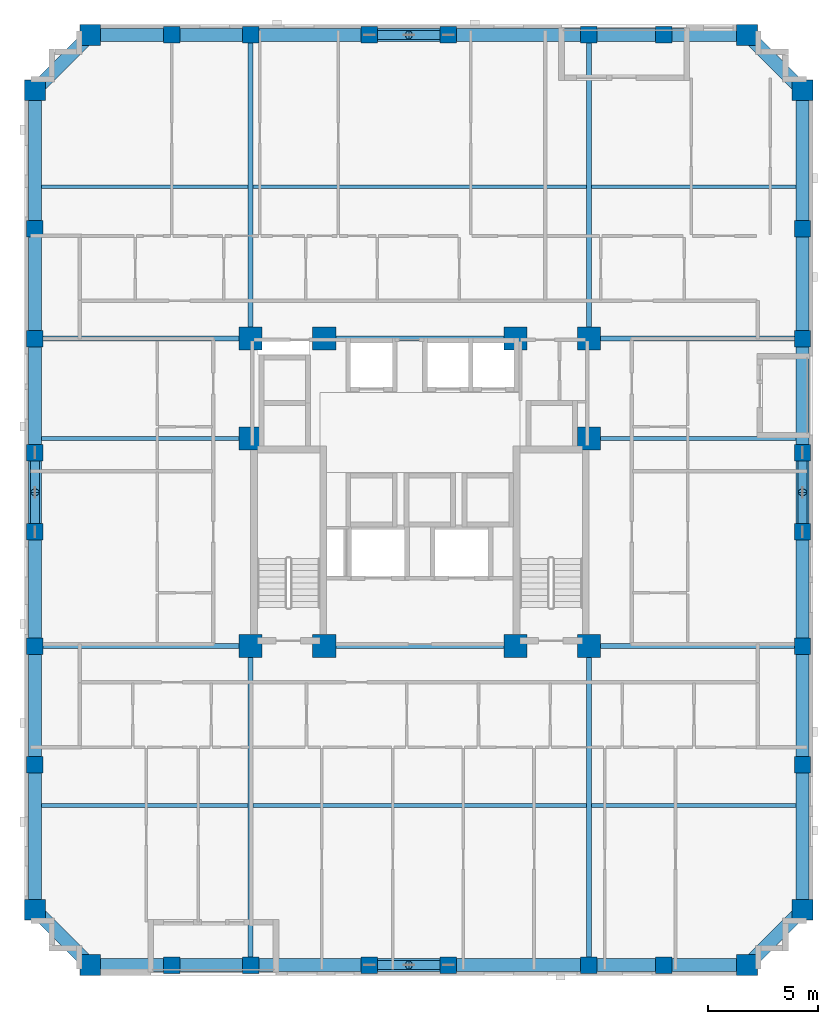
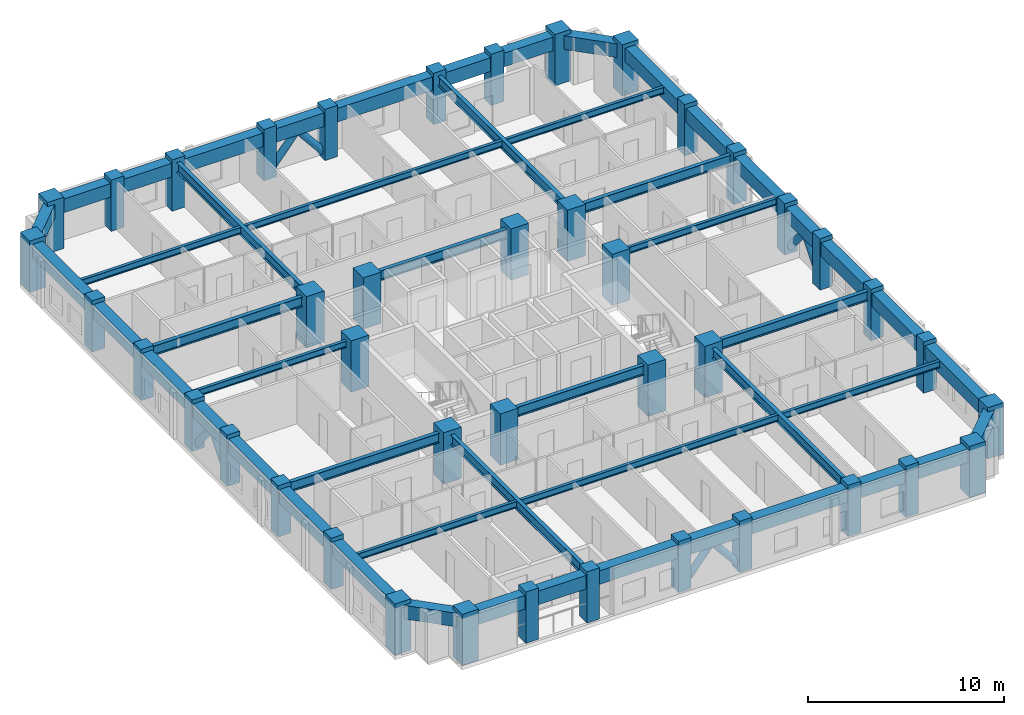
# One storey, part 1 of 12: 50 beams, 42 columns, 8 members.
"""IFC4 building model written with IfcOpenShell, lengths in metres."""

from ifc_helpers import new_model, si_unit, derived_unit, direction, frame, origin, origin_2d, place, context, subcontext, project, spatial, rectangle, hollow_circle, i_section, extrude, material, material_profile, profile_set, type_object, element, save


model = new_model("IFC4")

# Units and contexts
model_context = context("Model", 3, precision=1e-05, world=origin(), true_north=direction((0.0, 1.0)))
body_context = subcontext(model_context, "Body", "Model", "MODEL_VIEW")
ifc_project = project(units=[si_unit("LENGTHUNIT", "METRE"), si_unit("AREAUNIT", "SQUARE_METRE"), si_unit("VOLUMEUNIT", "CUBIC_METRE"), si_unit("PLANEANGLEUNIT", "RADIAN"), si_unit("MASSUNIT", "GRAM", prefix="KILO"), derived_unit("THERMALTRANSMITTANCEUNIT", [(si_unit("MASSUNIT", "GRAM", prefix="KILO"), 1), (si_unit("TIMEUNIT", "SECOND"), -3), (si_unit("THERMODYNAMICTEMPERATUREUNIT", "KELVIN"), -1)])], contexts=[model_context])

# Site, building, storey
site_placement = place(None, origin())
site = spatial("IfcSite", under=ifc_project, at=site_placement, CompositionType="ELEMENT")
building_placement = place(site_placement, origin())
building = spatial("IfcBuilding", under=site, at=building_placement, Name="Korrvale Station Residences", CompositionType="ELEMENT")
storey_placement = place(building_placement, frame((0.0, 0.0, 113.5)))
storey = spatial("IfcBuildingStorey", under=building, at=storey_placement, Name="L32", CompositionType="ELEMENT", Elevation=113.5)

# Columns
ifc_material_1 = material(Name="Concrete C60/75", Category="concrete")
ifc_material_profile_1 = material_profile(ifc_material_1, rectangle(XDim=1.050048828125, YDim=1.050048828125, at=origin_2d()), Name="RC1050x1050")
ifc_profile_set_1 = profile_set([ifc_material_profile_1], Name="Concrete C60/75")
column_type_1 = type_object("IfcColumnType", Name="COL-C-RC1050x1050-C6075", PredefinedType="COLUMN", material=ifc_profile_set_1)
for number, where, z_axis, x_axis, name in (
    (1, (17.800048828125, 15.0, 0.0), (0.0, 0.0, 1.0), (1.0, 0.0, 0.0), "L32 Core Column 01"),
    (2, (21.14990234375, 15.0, 0.0), (0.0, 0.0, 1.0), (1.0, 0.0, 0.0), "L32 Core Column 02"),
    (3, (29.85009765625, 15.0, 0.0), (0.0, 0.0, 1.0), (1.0, 0.0, 0.0), "L32 Core Column 03"),
    (4, (33.199951171875, 15.0, 0.0), (0.0, 0.0, 1.0), (1.0, 0.0, 0.0), "L32 Core Column 04"),
    (5, (17.800048828125, 29.0, 0.0), (0.0, 0.0, 1.0), (1.0, 0.0, 0.0), "L32 Core Column 05"),
    (6, (21.14990234375, 29.0, 0.0), (0.0, 0.0, 1.0), (1.0, 0.0, 0.0), "L32 Core Column 06"),
    (7, (29.85009765625, 29.0, 0.0), (0.0, 0.0, 1.0), (1.0, 0.0, 0.0), "L32 Core Column 07"),
    (8, (33.199951171875, 29.0, 0.0), (0.0, 0.0, 1.0), (1.0, 0.0, 0.0), "L32 Core Column 08"),
    (9, (17.800048828125, 24.449951171875, 0.0), (0.0, 0.0, 1.0), (1.0, 0.0, 0.0), "L32 Core Column 09"),
    (10, (33.199951171875, 24.449951171875, 0.0), (0.0, 0.0, 1.0), (1.0, 0.0, 0.0), "L32 Core Column 10"),
):
    element("IfcColumn", number, at=place(storey_placement, frame(where, z_axis=z_axis, x_axis=x_axis)), inside=storey, type_object=column_type_1, Name=name, PredefinedType="COLUMN", context=body_context, shape_type="SweptSolid", body=[
        extrude(rectangle(XDim=1.050048828125, YDim=1.050048828125, at=origin_2d()), origin(), (0.0, 0.0, 1.0), 3.199951171875),
    ])
ifc_material_profile_2 = material_profile(ifc_material_1, rectangle(XDim=0.75, YDim=0.75, at=origin_2d()), Name="RC750x750")
ifc_profile_set_2 = profile_set([ifc_material_profile_2], Name="Concrete C60/75")
column_type_2 = type_object("IfcColumnType", Name="COL-C-RC750x750-C6075", PredefinedType="COLUMN", material=ifc_profile_set_2)
for number, where, z_axis, x_axis, name in (
    (11, (14.199951171875, 0.47998046875, 0.0), (0.0, 0.0, 1.0), (1.0, 0.0, 0.0), "L32 Bundled-Tube South Column 02"),
    (12, (17.800048828125, 0.47998046875, 0.0), (0.0, 0.0, 1.0), (1.0, 0.0, 0.0), "L32 Bundled-Tube South Column 03"),
    (13, (23.199951171875, 0.47998046875, 0.0), (0.0, 0.0, 1.0), (1.0, 0.0, 0.0), "L32 Bundled-Tube South Column 04"),
    (14, (26.800048828125, 0.47998046875, 0.0), (0.0, 0.0, 1.0), (1.0, 0.0, 0.0), "L32 Bundled-Tube South Column 05"),
    (15, (33.199951171875, 0.47998046875, 0.0), (0.0, 0.0, 1.0), (1.0, 0.0, 0.0), "L32 Bundled-Tube South Column 06"),
    (16, (36.60009765625, 0.47998046875, 0.0), (0.0, 0.0, 1.0), (1.0, 0.0, 0.0), "L32 Bundled-Tube South Column 07"),
    (17, (14.199951171875, 42.820068359375, 0.0), (0.0, 0.0, 1.0), (1.0, 0.0, 0.0), "L32 Bundled-Tube North Column 10"),
    (18, (17.800048828125, 42.820068359375, 0.0), (0.0, 0.0, 1.0), (1.0, 0.0, 0.0), "L32 Bundled-Tube North Column 11"),
    (19, (23.199951171875, 42.820068359375, 0.0), (0.0, 0.0, 1.0), (1.0, 0.0, 0.0), "L32 Bundled-Tube North Column 12"),
    (20, (26.800048828125, 42.820068359375, 0.0), (0.0, 0.0, 1.0), (1.0, 0.0, 0.0), "L32 Bundled-Tube North Column 13"),
    (21, (33.199951171875, 42.820068359375, 0.0), (0.0, 0.0, 1.0), (1.0, 0.0, 0.0), "L32 Bundled-Tube North Column 14"),
    (22, (36.60009765625, 42.820068359375, 0.0), (0.0, 0.0, 1.0), (1.0, 0.0, 0.0), "L32 Bundled-Tube North Column 15"),
    (23, (7.97998046875, 9.60009765625, 0.0), (0.0, 0.0, 1.0), (1.0, 0.0, 0.0), "L32 Bundled-Tube West Column 18"),
    (24, (7.97998046875, 15.0, 0.0), (0.0, 0.0, 1.0), (1.0, 0.0, 0.0), "L32 Bundled-Tube West Column 19"),
    (25, (7.97998046875, 20.199951171875, 0.0), (0.0, 0.0, 1.0), (1.0, 0.0, 0.0), "L32 Bundled-Tube West Column 20"),
    (26, (7.97998046875, 23.800048828125, 0.0), (0.0, 0.0, 1.0), (1.0, 0.0, 0.0), "L32 Bundled-Tube West Column 21"),
    (27, (7.97998046875, 29.0, 0.0), (0.0, 0.0, 1.0), (1.0, 0.0, 0.0), "L32 Bundled-Tube West Column 22"),
    (28, (7.97998046875, 34.0, 0.0), (0.0, 0.0, 1.0), (1.0, 0.0, 0.0), "L32 Bundled-Tube West Column 23"),
    (29, (42.919921875, 9.60009765625, 0.0), (0.0, 0.0, 1.0), (1.0, 0.0, 0.0), "L32 Bundled-Tube East Column 26"),
    (30, (42.919921875, 15.0, 0.0), (0.0, 0.0, 1.0), (1.0, 0.0, 0.0), "L32 Bundled-Tube East Column 27"),
    (31, (42.919921875, 20.199951171875, 0.0), (0.0, 0.0, 1.0), (1.0, 0.0, 0.0), "L32 Bundled-Tube East Column 28"),
    (32, (42.919921875, 23.800048828125, 0.0), (0.0, 0.0, 1.0), (1.0, 0.0, 0.0), "L32 Bundled-Tube East Column 29"),
    (33, (42.919921875, 29.0, 0.0), (0.0, 0.0, 1.0), (1.0, 0.0, 0.0), "L32 Bundled-Tube East Column 30"),
    (34, (42.919921875, 34.0, 0.0), (0.0, 0.0, 1.0), (1.0, 0.0, 0.0), "L32 Bundled-Tube East Column 31"),
):
    element("IfcColumn", number, at=place(storey_placement, frame(where, z_axis=z_axis, x_axis=x_axis)), inside=storey, type_object=column_type_2, Name=name, PredefinedType="COLUMN", context=body_context, shape_type="SweptSolid", body=[
        extrude(rectangle(XDim=0.75, YDim=0.75, at=origin_2d()), origin(), (0.0, 0.0, 1.0), 3.199951171875),
    ])
ifc_material_profile_3 = material_profile(ifc_material_1, rectangle(XDim=0.949951171875, YDim=0.949951171875, at=origin_2d()), Name="RC950x950")
ifc_profile_set_3 = profile_set([ifc_material_profile_3], Name="Concrete C60/75")
column_type_3 = type_object("IfcColumnType", Name="COL-C-RC950x950-C6075", PredefinedType="COLUMN", material=ifc_profile_set_3)
for number, where, z_axis, x_axis, name in (
    (35, (10.5, 0.47998046875, 0.0), (0.0, 0.0, 1.0), (1.0, 0.0, 0.0), "L32 Bundled-Tube South Column 01"),
    (36, (40.39990234375, 0.47998046875, 0.0), (0.0, 0.0, 1.0), (1.0, 0.0, 0.0), "L32 Bundled-Tube South Column 08"),
    (37, (10.5, 42.820068359375, 0.0), (0.0, 0.0, 1.0), (1.0, 0.0, 0.0), "L32 Bundled-Tube North Column 09"),
    (38, (40.39990234375, 42.820068359375, 0.0), (0.0, 0.0, 1.0), (1.0, 0.0, 0.0), "L32 Bundled-Tube North Column 16"),
    (39, (7.97998046875, 3.0, 0.0), (0.0, 0.0, 1.0), (1.0, 0.0, 0.0), "L32 Bundled-Tube West Column 17"),
    (40, (7.97998046875, 40.300048828125, 0.0), (0.0, 0.0, 1.0), (1.0, 0.0, 0.0), "L32 Bundled-Tube West Column 24"),
    (41, (42.919921875, 3.0, 0.0), (0.0, 0.0, 1.0), (1.0, 0.0, 0.0), "L32 Bundled-Tube East Column 25"),
    (42, (42.919921875, 40.300048828125, 0.0), (0.0, 0.0, 1.0), (1.0, 0.0, 0.0), "L32 Bundled-Tube East Column 32"),
):
    element("IfcColumn", number, at=place(storey_placement, frame(where, z_axis=z_axis, x_axis=x_axis)), inside=storey, type_object=column_type_3, Name=name, PredefinedType="COLUMN", context=body_context, shape_type="SweptSolid", body=[
        extrude(rectangle(XDim=0.949951171875, YDim=0.949951171875, at=origin_2d()), origin(), (0.0, 0.0, 1.0), 3.199951171875),
    ])

# Beams
ifc_material_2 = material(Name="Steel S355", Category="steel")
ifc_material_profile_4 = material_profile(ifc_material_2, i_section(OverallWidth=0.22900390625, OverallDepth=0.612060546875, WebThickness=0.011962890625, FlangeThickness=0.01953125, FilletRadius=0.01904296875, at=origin_2d()), Name="W610x125")
ifc_profile_set_4 = profile_set([ifc_material_profile_4], Name="Steel S355")
beam_type_1 = type_object("IfcBeamType", Name="BM-BM-W610x125-S355", PredefinedType="BEAM", material=ifc_profile_set_4)
for number, where, z_axis, x_axis, name in (
    (43, (17.800048828125, 0.47998046875, 2.634033203125), (0.0, 1.0, 0.0), (-1.0, 0.0, 0.0), "L32 Bundled-Tube Web Girder 01"),
    (44, (33.199951171875, 0.47998046875, 2.634033203125), (0.0, 1.0, 0.0), (-1.0, 0.0, 0.0), "L32 Bundled-Tube Web Girder 02"),
):
    element("IfcBeam", number, at=place(storey_placement, frame(where, z_axis=z_axis, x_axis=x_axis)), inside=storey, type_object=beam_type_1, Name=name, PredefinedType="BEAM", context=body_context, shape_type="SweptSolid", body=[
        extrude(i_section(OverallWidth=0.22900390625, OverallDepth=0.612060546875, WebThickness=0.011962890625, FlangeThickness=0.01953125, FilletRadius=0.01904296875, at=origin_2d()), origin(), (0.0, 0.0, 1.0), 14.52001953125),
    ])
for number, where, z_axis, x_axis, name in (
    (45, (17.800048828125, 29.0, 2.634033203125), (0.0, 1.0, 0.0), (-1.0, 0.0, 0.0), "L32 Bundled-Tube Web Girder 03"),
    (46, (33.199951171875, 29.0, 2.634033203125), (0.0, 1.0, 0.0), (-1.0, 0.0, 0.0), "L32 Bundled-Tube Web Girder 04"),
):
    element("IfcBeam", number, at=place(storey_placement, frame(where, z_axis=z_axis, x_axis=x_axis)), inside=storey, type_object=beam_type_1, Name=name, PredefinedType="BEAM", context=body_context, shape_type="SweptSolid", body=[
        extrude(i_section(OverallWidth=0.22900390625, OverallDepth=0.612060546875, WebThickness=0.011962890625, FlangeThickness=0.01953125, FilletRadius=0.01904296875, at=origin_2d()), origin(), (0.0, 0.0, 1.0), 13.820068359375),
    ])
beam_1_placement = place(storey_placement, frame((7.97998046875, 15.0, 2.634033203125), z_axis=(1.0, 0.0, 0.0), x_axis=(0.0, 1.0, 0.0)))
element("IfcBeam", 47, at=beam_1_placement, inside=storey, type_object=beam_type_1, Name="L32 Bundled-Tube Web Girder 05", PredefinedType="BEAM", context=body_context, shape_type="SweptSolid", body=[
    extrude(i_section(OverallWidth=0.22900390625, OverallDepth=0.612060546875, WebThickness=0.011962890625, FlangeThickness=0.01953125, FilletRadius=0.01904296875, at=origin_2d()), origin(), (0.0, 0.0, 1.0), 9.820068359375),
])
beam_2_placement = place(storey_placement, frame((33.199951171875, 15.0, 2.634033203125), z_axis=(1.0, 0.0, 0.0), x_axis=(0.0, 1.0, 0.0)))
element("IfcBeam", 48, at=beam_2_placement, inside=storey, type_object=beam_type_1, Name="L32 Bundled-Tube Web Girder 06", PredefinedType="BEAM", context=body_context, shape_type="SweptSolid", body=[
    extrude(i_section(OverallWidth=0.22900390625, OverallDepth=0.612060546875, WebThickness=0.011962890625, FlangeThickness=0.01953125, FilletRadius=0.01904296875, at=origin_2d()), origin(), (0.0, 0.0, 1.0), 9.719970703125),
])
beam_3_placement = place(storey_placement, frame((7.97998046875, 29.0, 2.634033203125), z_axis=(1.0, 0.0, 0.0), x_axis=(0.0, 1.0, 0.0)))
element("IfcBeam", 49, at=beam_3_placement, inside=storey, type_object=beam_type_1, Name="L32 Bundled-Tube Web Girder 07", PredefinedType="BEAM", context=body_context, shape_type="SweptSolid", body=[
    extrude(i_section(OverallWidth=0.22900390625, OverallDepth=0.612060546875, WebThickness=0.011962890625, FlangeThickness=0.01953125, FilletRadius=0.01904296875, at=origin_2d()), origin(), (0.0, 0.0, 1.0), 9.820068359375),
])
beam_4_placement = place(storey_placement, frame((33.199951171875, 29.0, 2.634033203125), z_axis=(1.0, 0.0, 0.0), x_axis=(0.0, 1.0, 0.0)))
element("IfcBeam", 50, at=beam_4_placement, inside=storey, type_object=beam_type_1, Name="L32 Bundled-Tube Web Girder 08", PredefinedType="BEAM", context=body_context, shape_type="SweptSolid", body=[
    extrude(i_section(OverallWidth=0.22900390625, OverallDepth=0.612060546875, WebThickness=0.011962890625, FlangeThickness=0.01953125, FilletRadius=0.01904296875, at=origin_2d()), origin(), (0.0, 0.0, 1.0), 9.719970703125),
])
for number, where, z_axis, x_axis, name in (
    (51, (21.14990234375, 15.0, 2.634033203125), (1.0, 0.0, 0.0), (0.0, 1.0, 0.0), "L32 Bundled-Tube Web Girder 09"),
    (52, (21.14990234375, 29.0, 2.634033203125), (1.0, 0.0, 0.0), (0.0, 1.0, 0.0), "L32 Bundled-Tube Web Girder 10"),
):
    element("IfcBeam", number, at=place(storey_placement, frame(where, z_axis=z_axis, x_axis=x_axis)), inside=storey, type_object=beam_type_1, Name=name, PredefinedType="BEAM", context=body_context, shape_type="SweptSolid", body=[
        extrude(i_section(OverallWidth=0.22900390625, OverallDepth=0.612060546875, WebThickness=0.011962890625, FlangeThickness=0.01953125, FilletRadius=0.01904296875, at=origin_2d()), origin(), (0.0, 0.0, 1.0), 8.7001953125),
    ])
ifc_material_profile_5 = material_profile(ifc_material_2, i_section(OverallWidth=0.177978515625, OverallDepth=0.406982421875, WebThickness=0.0078125, FlangeThickness=0.0126953125, FilletRadius=0.01611328125, at=origin_2d()), Name="W410x60")
ifc_profile_set_5 = profile_set([ifc_material_profile_5], Name="Steel S355")
beam_type_2 = type_object("IfcBeamType", Name="BM-JST-W410x60-S355", PredefinedType="JOIST", material=ifc_profile_set_5)
beam_5_placement = place(storey_placement, frame((8.280029296875, 7.739990234375, 2.736572265625), z_axis=(1.0, 0.0, 0.0), x_axis=(0.0, 1.0, 0.0)))
element("IfcBeam", 53, at=beam_5_placement, inside=storey, type_object=beam_type_2, Name="L32 Floor Framing Joist 01", PredefinedType="JOIST", context=body_context, shape_type="SweptSolid", body=[
    extrude(i_section(OverallWidth=0.177978515625, OverallDepth=0.406982421875, WebThickness=0.0078125, FlangeThickness=0.0126953125, FilletRadius=0.01611328125, at=origin_2d()), origin(), (0.0, 0.0, 1.0), 9.405517578125),
])
beam_6_placement = place(storey_placement, frame((17.91455078125, 7.739990234375, 2.736572265625), z_axis=(1.0, 0.0, 0.0), x_axis=(0.0, 1.0, 0.0)))
element("IfcBeam", 54, at=beam_6_placement, inside=storey, type_object=beam_type_2, Name="L32 Floor Framing Joist 02", PredefinedType="JOIST", context=body_context, shape_type="SweptSolid", body=[
    extrude(i_section(OverallWidth=0.177978515625, OverallDepth=0.406982421875, WebThickness=0.0078125, FlangeThickness=0.0126953125, FilletRadius=0.01611328125, at=origin_2d()), origin(), (0.0, 0.0, 1.0), 15.1708984375),
])
beam_7_placement = place(storey_placement, frame((33.314453125, 7.739990234375, 2.736572265625), z_axis=(1.0, 0.0, 0.0), x_axis=(0.0, 1.0, 0.0)))
element("IfcBeam", 55, at=beam_7_placement, inside=storey, type_object=beam_type_2, Name="L32 Floor Framing Joist 03", PredefinedType="JOIST", context=body_context, shape_type="SweptSolid", body=[
    extrude(i_section(OverallWidth=0.177978515625, OverallDepth=0.406982421875, WebThickness=0.0078125, FlangeThickness=0.0126953125, FilletRadius=0.01611328125, at=origin_2d()), origin(), (0.0, 0.0, 1.0), 9.3056640625),
])
beam_8_placement = place(storey_placement, frame((8.280029296875, 35.909912109375, 2.736572265625), z_axis=(1.0, 0.0, 0.0), x_axis=(0.0, 1.0, 0.0)))
element("IfcBeam", 56, at=beam_8_placement, inside=storey, type_object=beam_type_2, Name="L32 Floor Framing Joist 04", PredefinedType="JOIST", context=body_context, shape_type="SweptSolid", body=[
    extrude(i_section(OverallWidth=0.177978515625, OverallDepth=0.406982421875, WebThickness=0.0078125, FlangeThickness=0.0126953125, FilletRadius=0.01611328125, at=origin_2d()), origin(), (0.0, 0.0, 1.0), 9.405517578125),
])
beam_9_placement = place(storey_placement, frame((17.91455078125, 35.909912109375, 2.736572265625), z_axis=(1.0, 0.0, 0.0), x_axis=(0.0, 1.0, 0.0)))
element("IfcBeam", 57, at=beam_9_placement, inside=storey, type_object=beam_type_2, Name="L32 Floor Framing Joist 05", PredefinedType="JOIST", context=body_context, shape_type="SweptSolid", body=[
    extrude(i_section(OverallWidth=0.177978515625, OverallDepth=0.406982421875, WebThickness=0.0078125, FlangeThickness=0.0126953125, FilletRadius=0.01611328125, at=origin_2d()), origin(), (0.0, 0.0, 1.0), 15.1708984375),
])
beam_10_placement = place(storey_placement, frame((33.314453125, 35.909912109375, 2.736572265625), z_axis=(1.0, 0.0, 0.0), x_axis=(0.0, 1.0, 0.0)))
element("IfcBeam", 58, at=beam_10_placement, inside=storey, type_object=beam_type_2, Name="L32 Floor Framing Joist 06", PredefinedType="JOIST", context=body_context, shape_type="SweptSolid", body=[
    extrude(i_section(OverallWidth=0.177978515625, OverallDepth=0.406982421875, WebThickness=0.0078125, FlangeThickness=0.0126953125, FilletRadius=0.01611328125, at=origin_2d()), origin(), (0.0, 0.0, 1.0), 9.3056640625),
])
beam_11_placement = place(storey_placement, frame((33.199951171875, 24.449951171875, 2.736572265625), z_axis=(1.0, 0.0, 0.0), x_axis=(0.0, 1.0, 0.0)))
element("IfcBeam", 59, at=beam_11_placement, inside=storey, type_object=beam_type_2, Name="L32 Floor Framing Joist 07", PredefinedType="JOIST", context=body_context, shape_type="SweptSolid", body=[
    extrude(i_section(OverallWidth=0.177978515625, OverallDepth=0.406982421875, WebThickness=0.0078125, FlangeThickness=0.0126953125, FilletRadius=0.01611328125, at=origin_2d()), origin(), (0.0, 0.0, 1.0), 9.420166015625),
])
beam_12_placement = place(storey_placement, frame((8.280029296875, 24.449951171875, 2.736572265625), z_axis=(1.0, 0.0, 0.0), x_axis=(0.0, 1.0, 0.0)))
element("IfcBeam", 60, at=beam_12_placement, inside=storey, type_object=beam_type_2, Name="L32 Floor Framing Joist 08", PredefinedType="JOIST", context=body_context, shape_type="SweptSolid", body=[
    extrude(i_section(OverallWidth=0.177978515625, OverallDepth=0.406982421875, WebThickness=0.0078125, FlangeThickness=0.0126953125, FilletRadius=0.01611328125, at=origin_2d()), origin(), (0.0, 0.0, 1.0), 9.52001953125),
])
ifc_material_profile_6 = material_profile(ifc_material_1, rectangle(XDim=0.60009765625, YDim=0.85009765625, at=origin_2d()), Name="RCB600x850")
ifc_profile_set_6 = profile_set([ifc_material_profile_6], Name="Concrete C60/75")
beam_type_3 = type_object("IfcBeamType", Name="BM-SPB-RCB600x850-C6075", PredefinedType="SPANDREL", material=ifc_profile_set_6)
beam_13_placement = place(storey_placement, frame((10.5, 0.47998046875, 2.514892578125), z_axis=(1.0, 0.0, 0.0), x_axis=(0.0, 1.0, 0.0)))
element("IfcBeam", 61, at=beam_13_placement, inside=storey, type_object=beam_type_3, Name="L32 South Tube Spandrel 01", PredefinedType="SPANDREL", context=body_context, shape_type="SweptSolid", body=[
    extrude(rectangle(XDim=0.60009765625, YDim=0.85009765625, at=origin_2d()), origin(), (0.0, 0.0, 1.0), 3.699951171875),
])
beam_14_placement = place(storey_placement, frame((14.199951171875, 0.47998046875, 2.514892578125), z_axis=(1.0, 0.0, 0.0), x_axis=(0.0, 1.0, 0.0)))
element("IfcBeam", 62, at=beam_14_placement, inside=storey, type_object=beam_type_3, Name="L32 South Tube Spandrel 02", PredefinedType="SPANDREL", context=body_context, shape_type="SweptSolid", body=[
    extrude(rectangle(XDim=0.60009765625, YDim=0.85009765625, at=origin_2d()), origin(), (0.0, 0.0, 1.0), 3.60009765625),
])
beam_15_placement = place(storey_placement, frame((17.800048828125, 0.47998046875, 2.514892578125), z_axis=(1.0, 0.0, 0.0), x_axis=(0.0, 1.0, 0.0)))
element("IfcBeam", 63, at=beam_15_placement, inside=storey, type_object=beam_type_3, Name="L32 South Tube Spandrel 03", PredefinedType="SPANDREL", context=body_context, shape_type="SweptSolid", body=[
    extrude(rectangle(XDim=0.60009765625, YDim=0.85009765625, at=origin_2d()), origin(), (0.0, 0.0, 1.0), 5.39990234375),
])
beam_16_placement = place(storey_placement, frame((23.199951171875, 0.47998046875, 2.514892578125), z_axis=(1.0, 0.0, 0.0), x_axis=(0.0, 1.0, 0.0)))
element("IfcBeam", 64, at=beam_16_placement, inside=storey, type_object=beam_type_3, Name="L32 South Tube Spandrel 04", PredefinedType="SPANDREL", context=body_context, shape_type="SweptSolid", body=[
    extrude(rectangle(XDim=0.60009765625, YDim=0.85009765625, at=origin_2d()), origin(), (0.0, 0.0, 1.0), 3.60009765625),
])
beam_17_placement = place(storey_placement, frame((26.800048828125, 0.47998046875, 2.514892578125), z_axis=(1.0, 0.0, 0.0), x_axis=(0.0, 1.0, 0.0)))
element("IfcBeam", 65, at=beam_17_placement, inside=storey, type_object=beam_type_3, Name="L32 South Tube Spandrel 05", PredefinedType="SPANDREL", context=body_context, shape_type="SweptSolid", body=[
    extrude(rectangle(XDim=0.60009765625, YDim=0.85009765625, at=origin_2d()), origin(), (0.0, 0.0, 1.0), 6.39990234375),
])
beam_18_placement = place(storey_placement, frame((33.199951171875, 0.47998046875, 2.514892578125), z_axis=(1.0, 0.0, 0.0), x_axis=(0.0, 1.0, 0.0)))
element("IfcBeam", 66, at=beam_18_placement, inside=storey, type_object=beam_type_3, Name="L32 South Tube Spandrel 06", PredefinedType="SPANDREL", context=body_context, shape_type="SweptSolid", body=[
    extrude(rectangle(XDim=0.60009765625, YDim=0.85009765625, at=origin_2d()), origin(), (0.0, 0.0, 1.0), 3.400146484375),
])
beam_19_placement = place(storey_placement, frame((36.60009765625, 0.47998046875, 2.514892578125), z_axis=(1.0, 0.0, 0.0), x_axis=(0.0, 1.0, 0.0)))
element("IfcBeam", 67, at=beam_19_placement, inside=storey, type_object=beam_type_3, Name="L32 South Tube Spandrel 07", PredefinedType="SPANDREL", context=body_context, shape_type="SweptSolid", body=[
    extrude(rectangle(XDim=0.60009765625, YDim=0.85009765625, at=origin_2d()), origin(), (0.0, 0.0, 1.0), 3.7998046875),
])
beam_20_placement = place(storey_placement, frame((10.5, 42.820068359375, 2.514892578125), z_axis=(1.0, 0.0, 0.0), x_axis=(0.0, 1.0, 0.0)))
element("IfcBeam", 68, at=beam_20_placement, inside=storey, type_object=beam_type_3, Name="L32 North Tube Spandrel 08", PredefinedType="SPANDREL", context=body_context, shape_type="SweptSolid", body=[
    extrude(rectangle(XDim=0.60009765625, YDim=0.85009765625, at=origin_2d()), origin(), (0.0, 0.0, 1.0), 3.699951171875),
])
beam_21_placement = place(storey_placement, frame((14.199951171875, 42.820068359375, 2.514892578125), z_axis=(1.0, 0.0, 0.0), x_axis=(0.0, 1.0, 0.0)))
element("IfcBeam", 69, at=beam_21_placement, inside=storey, type_object=beam_type_3, Name="L32 North Tube Spandrel 09", PredefinedType="SPANDREL", context=body_context, shape_type="SweptSolid", body=[
    extrude(rectangle(XDim=0.60009765625, YDim=0.85009765625, at=origin_2d()), origin(), (0.0, 0.0, 1.0), 3.60009765625),
])
beam_22_placement = place(storey_placement, frame((17.800048828125, 42.820068359375, 2.514892578125), z_axis=(1.0, 0.0, 0.0), x_axis=(0.0, 1.0, 0.0)))
element("IfcBeam", 70, at=beam_22_placement, inside=storey, type_object=beam_type_3, Name="L32 North Tube Spandrel 10", PredefinedType="SPANDREL", context=body_context, shape_type="SweptSolid", body=[
    extrude(rectangle(XDim=0.60009765625, YDim=0.85009765625, at=origin_2d()), origin(), (0.0, 0.0, 1.0), 5.39990234375),
])
beam_23_placement = place(storey_placement, frame((23.199951171875, 42.820068359375, 2.514892578125), z_axis=(1.0, 0.0, 0.0), x_axis=(0.0, 1.0, 0.0)))
element("IfcBeam", 71, at=beam_23_placement, inside=storey, type_object=beam_type_3, Name="L32 North Tube Spandrel 11", PredefinedType="SPANDREL", context=body_context, shape_type="SweptSolid", body=[
    extrude(rectangle(XDim=0.60009765625, YDim=0.85009765625, at=origin_2d()), origin(), (0.0, 0.0, 1.0), 3.60009765625),
])
beam_24_placement = place(storey_placement, frame((26.800048828125, 42.820068359375, 2.514892578125), z_axis=(1.0, 0.0, 0.0), x_axis=(0.0, 1.0, 0.0)))
element("IfcBeam", 72, at=beam_24_placement, inside=storey, type_object=beam_type_3, Name="L32 North Tube Spandrel 12", PredefinedType="SPANDREL", context=body_context, shape_type="SweptSolid", body=[
    extrude(rectangle(XDim=0.60009765625, YDim=0.85009765625, at=origin_2d()), origin(), (0.0, 0.0, 1.0), 6.39990234375),
])
beam_25_placement = place(storey_placement, frame((33.199951171875, 42.820068359375, 2.514892578125), z_axis=(1.0, 0.0, 0.0), x_axis=(0.0, 1.0, 0.0)))
element("IfcBeam", 73, at=beam_25_placement, inside=storey, type_object=beam_type_3, Name="L32 North Tube Spandrel 13", PredefinedType="SPANDREL", context=body_context, shape_type="SweptSolid", body=[
    extrude(rectangle(XDim=0.60009765625, YDim=0.85009765625, at=origin_2d()), origin(), (0.0, 0.0, 1.0), 3.400146484375),
])
beam_26_placement = place(storey_placement, frame((36.60009765625, 42.820068359375, 2.514892578125), z_axis=(1.0, 0.0, 0.0), x_axis=(0.0, 1.0, 0.0)))
element("IfcBeam", 74, at=beam_26_placement, inside=storey, type_object=beam_type_3, Name="L32 North Tube Spandrel 14", PredefinedType="SPANDREL", context=body_context, shape_type="SweptSolid", body=[
    extrude(rectangle(XDim=0.60009765625, YDim=0.85009765625, at=origin_2d()), origin(), (0.0, 0.0, 1.0), 3.7998046875),
])
beam_27_placement = place(storey_placement, frame((7.97998046875, 3.0, 2.514892578125), z_axis=(0.0, 1.0, 0.0), x_axis=(-1.0, 0.0, 0.0)))
element("IfcBeam", 75, at=beam_27_placement, inside=storey, type_object=beam_type_3, Name="L32 West Tube Spandrel 15", PredefinedType="SPANDREL", context=body_context, shape_type="SweptSolid", body=[
    extrude(rectangle(XDim=0.60009765625, YDim=0.85009765625, at=origin_2d()), origin(), (0.0, 0.0, 1.0), 6.60009765625),
])
beam_28_placement = place(storey_placement, frame((7.97998046875, 9.60009765625, 2.514892578125), z_axis=(0.0, 1.0, 0.0), x_axis=(-1.0, 0.0, 0.0)))
element("IfcBeam", 76, at=beam_28_placement, inside=storey, type_object=beam_type_3, Name="L32 West Tube Spandrel 16", PredefinedType="SPANDREL", context=body_context, shape_type="SweptSolid", body=[
    extrude(rectangle(XDim=0.60009765625, YDim=0.85009765625, at=origin_2d()), origin(), (0.0, 0.0, 1.0), 5.39990234375),
])
beam_29_placement = place(storey_placement, frame((7.97998046875, 15.0, 2.514892578125), z_axis=(0.0, 1.0, 0.0), x_axis=(-1.0, 0.0, 0.0)))
element("IfcBeam", 77, at=beam_29_placement, inside=storey, type_object=beam_type_3, Name="L32 West Tube Spandrel 17", PredefinedType="SPANDREL", context=body_context, shape_type="SweptSolid", body=[
    extrude(rectangle(XDim=0.60009765625, YDim=0.85009765625, at=origin_2d()), origin(), (0.0, 0.0, 1.0), 5.199951171875),
])
beam_30_placement = place(storey_placement, frame((7.97998046875, 20.199951171875, 2.514892578125), z_axis=(0.0, 1.0, 0.0), x_axis=(-1.0, 0.0, 0.0)))
element("IfcBeam", 78, at=beam_30_placement, inside=storey, type_object=beam_type_3, Name="L32 West Tube Spandrel 18", PredefinedType="SPANDREL", context=body_context, shape_type="SweptSolid", body=[
    extrude(rectangle(XDim=0.60009765625, YDim=0.85009765625, at=origin_2d()), origin(), (0.0, 0.0, 1.0), 3.60009765625),
])
beam_31_placement = place(storey_placement, frame((7.97998046875, 23.800048828125, 2.514892578125), z_axis=(0.0, 1.0, 0.0), x_axis=(-1.0, 0.0, 0.0)))
element("IfcBeam", 79, at=beam_31_placement, inside=storey, type_object=beam_type_3, Name="L32 West Tube Spandrel 19", PredefinedType="SPANDREL", context=body_context, shape_type="SweptSolid", body=[
    extrude(rectangle(XDim=0.60009765625, YDim=0.85009765625, at=origin_2d()), origin(), (0.0, 0.0, 1.0), 5.199951171875),
])
beam_32_placement = place(storey_placement, frame((7.97998046875, 29.0, 2.514892578125), z_axis=(0.0, 1.0, 0.0), x_axis=(-1.0, 0.0, 0.0)))
element("IfcBeam", 80, at=beam_32_placement, inside=storey, type_object=beam_type_3, Name="L32 West Tube Spandrel 20", PredefinedType="SPANDREL", context=body_context, shape_type="SweptSolid", body=[
    extrude(rectangle(XDim=0.60009765625, YDim=0.85009765625, at=origin_2d()), origin(), (0.0, 0.0, 1.0), 5.0),
])
beam_33_placement = place(storey_placement, frame((7.97998046875, 34.0, 2.514892578125), z_axis=(0.0, 1.0, 0.0), x_axis=(-1.0, 0.0, 0.0)))
element("IfcBeam", 81, at=beam_33_placement, inside=storey, type_object=beam_type_3, Name="L32 West Tube Spandrel 21", PredefinedType="SPANDREL", context=body_context, shape_type="SweptSolid", body=[
    extrude(rectangle(XDim=0.60009765625, YDim=0.85009765625, at=origin_2d()), origin(), (0.0, 0.0, 1.0), 6.300048828125),
])
beam_34_placement = place(storey_placement, frame((42.919921875, 3.0, 2.514892578125), z_axis=(0.0, 1.0, 0.0), x_axis=(-1.0, 0.0, 0.0)))
element("IfcBeam", 82, at=beam_34_placement, inside=storey, type_object=beam_type_3, Name="L32 East Tube Spandrel 22", PredefinedType="SPANDREL", context=body_context, shape_type="SweptSolid", body=[
    extrude(rectangle(XDim=0.60009765625, YDim=0.85009765625, at=origin_2d()), origin(), (0.0, 0.0, 1.0), 6.60009765625),
])
beam_35_placement = place(storey_placement, frame((42.919921875, 9.60009765625, 2.514892578125), z_axis=(0.0, 1.0, 0.0), x_axis=(-1.0, 0.0, 0.0)))
element("IfcBeam", 83, at=beam_35_placement, inside=storey, type_object=beam_type_3, Name="L32 East Tube Spandrel 23", PredefinedType="SPANDREL", context=body_context, shape_type="SweptSolid", body=[
    extrude(rectangle(XDim=0.60009765625, YDim=0.85009765625, at=origin_2d()), origin(), (0.0, 0.0, 1.0), 5.39990234375),
])
beam_36_placement = place(storey_placement, frame((42.919921875, 15.0, 2.514892578125), z_axis=(0.0, 1.0, 0.0), x_axis=(-1.0, 0.0, 0.0)))
element("IfcBeam", 84, at=beam_36_placement, inside=storey, type_object=beam_type_3, Name="L32 East Tube Spandrel 24", PredefinedType="SPANDREL", context=body_context, shape_type="SweptSolid", body=[
    extrude(rectangle(XDim=0.60009765625, YDim=0.85009765625, at=origin_2d()), origin(), (0.0, 0.0, 1.0), 5.199951171875),
])
beam_37_placement = place(storey_placement, frame((42.919921875, 20.199951171875, 2.514892578125), z_axis=(0.0, 1.0, 0.0), x_axis=(-1.0, 0.0, 0.0)))
element("IfcBeam", 85, at=beam_37_placement, inside=storey, type_object=beam_type_3, Name="L32 East Tube Spandrel 25", PredefinedType="SPANDREL", context=body_context, shape_type="SweptSolid", body=[
    extrude(rectangle(XDim=0.60009765625, YDim=0.85009765625, at=origin_2d()), origin(), (0.0, 0.0, 1.0), 3.60009765625),
])
beam_38_placement = place(storey_placement, frame((42.919921875, 23.800048828125, 2.514892578125), z_axis=(0.0, 1.0, 0.0), x_axis=(-1.0, 0.0, 0.0)))
element("IfcBeam", 86, at=beam_38_placement, inside=storey, type_object=beam_type_3, Name="L32 East Tube Spandrel 26", PredefinedType="SPANDREL", context=body_context, shape_type="SweptSolid", body=[
    extrude(rectangle(XDim=0.60009765625, YDim=0.85009765625, at=origin_2d()), origin(), (0.0, 0.0, 1.0), 5.199951171875),
])
beam_39_placement = place(storey_placement, frame((42.919921875, 29.0, 2.514892578125), z_axis=(0.0, 1.0, 0.0), x_axis=(-1.0, 0.0, 0.0)))
element("IfcBeam", 87, at=beam_39_placement, inside=storey, type_object=beam_type_3, Name="L32 East Tube Spandrel 27", PredefinedType="SPANDREL", context=body_context, shape_type="SweptSolid", body=[
    extrude(rectangle(XDim=0.60009765625, YDim=0.85009765625, at=origin_2d()), origin(), (0.0, 0.0, 1.0), 5.0),
])
beam_40_placement = place(storey_placement, frame((42.919921875, 34.0, 2.514892578125), z_axis=(0.0, 1.0, 0.0), x_axis=(-1.0, 0.0, 0.0)))
element("IfcBeam", 88, at=beam_40_placement, inside=storey, type_object=beam_type_3, Name="L32 East Tube Spandrel 28", PredefinedType="SPANDREL", context=body_context, shape_type="SweptSolid", body=[
    extrude(rectangle(XDim=0.60009765625, YDim=0.85009765625, at=origin_2d()), origin(), (0.0, 0.0, 1.0), 6.300048828125),
])
for number, where, z_axis, x_axis, name in (
    (89, (10.5, 0.47998046875, 2.514892578125), (-0.707106781187, 0.707106781187, 0.0), (-0.707106781187, -0.707106781187, 0.0), "L32 Serrated Corner Spandrel 29"),
    (90, (40.39990234375, 0.47998046875, 2.514892578125), (0.707106781187, 0.707106781187, 0.0), (-0.707106781187, 0.707106781187, 0.0), "L32 Serrated Corner Spandrel 30"),
    (91, (40.39990234375, 42.820068359375, 2.514892578125), (0.707106781187, -0.707106781187, 0.0), (0.707106781187, 0.707106781187, 0.0), "L32 Serrated Corner Spandrel 31"),
    (92, (10.5, 42.820068359375, 2.514892578125), (-0.707106781187, -0.707106781187, 0.0), (0.707106781187, -0.707106781187, 0.0), "L32 Serrated Corner Spandrel 32"),
):
    element("IfcBeam", number, at=place(storey_placement, frame(where, z_axis=z_axis, x_axis=x_axis)), inside=storey, type_object=beam_type_3, Name=name, PredefinedType="SPANDREL", context=body_context, shape_type="SweptSolid", body=[
        extrude(rectangle(XDim=0.60009765625, YDim=0.85009765625, at=origin_2d()), origin(), (0.0, 0.0, 1.0), 3.56396484375),
    ])

# Members
ifc_material_profile_7 = material_profile(ifc_material_2, hollow_circle(Radius=0.203125, WallThickness=0.015869140625, at=origin_2d()), Name="HSS406x16")
ifc_profile_set_7 = profile_set([ifc_material_profile_7], Name="Steel S355")
member_type = type_object("IfcMemberType", Name="MBR-BR-HSS406x16", PredefinedType="BRACE", material=ifc_profile_set_7)
for number, where, z_axis, x_axis, name in (
    (93, (23.199951171875, 0.47998046875, 0.02001953125), (0.634985494602, 0.0, 0.772524058942), (0.0, 1.0, 0.0), "L32 S Perimeter Tube Wind Brace 1"),
    (94, (26.800048828125, 0.47998046875, 0.02001953125), (-0.634985494602, 0.0, 0.772524058942), (0.0, -1.0, 0.0), "L32 S Perimeter Tube Wind Brace 2"),
    (95, (23.199951171875, 42.820068359375, 0.02001953125), (0.634985494602, 0.0, 0.772524058942), (0.0, 1.0, 0.0), "L32 N Perimeter Tube Wind Brace 1"),
    (96, (26.800048828125, 42.820068359375, 0.02001953125), (-0.634985494602, 0.0, 0.772524058942), (0.0, -1.0, 0.0), "L32 N Perimeter Tube Wind Brace 2"),
    (97, (7.97998046875, 20.199951171875, 0.02001953125), (0.0, 0.634985494602, 0.772524058942), (-1.0, 0.0, 0.0), "L32 W Perimeter Tube Wind Brace 1"),
    (98, (7.97998046875, 23.800048828125, 0.02001953125), (0.0, -0.634985494602, 0.772524058942), (1.0, 0.0, 0.0), "L32 W Perimeter Tube Wind Brace 2"),
    (99, (42.919921875, 20.199951171875, 0.02001953125), (0.0, 0.634985494602, 0.772524058942), (-1.0, 0.0, 0.0), "L32 E Perimeter Tube Wind Brace 1"),
    (100, (42.919921875, 23.800048828125, 0.02001953125), (0.0, -0.634985494602, 0.772524058942), (1.0, 0.0, 0.0), "L32 E Perimeter Tube Wind Brace 2"),
):
    element("IfcMember", number, at=place(storey_placement, frame(where, z_axis=z_axis, x_axis=x_axis)), inside=storey, type_object=member_type, Name=name, PredefinedType="BRACE", context=body_context, shape_type="SweptSolid", body=[
        extrude(hollow_circle(Radius=0.203125, WallThickness=0.015869140625, at=origin_2d()), origin(), (0.0, 0.0, 1.0), 2.834716796875),
    ])

save(model, "model.ifc")
